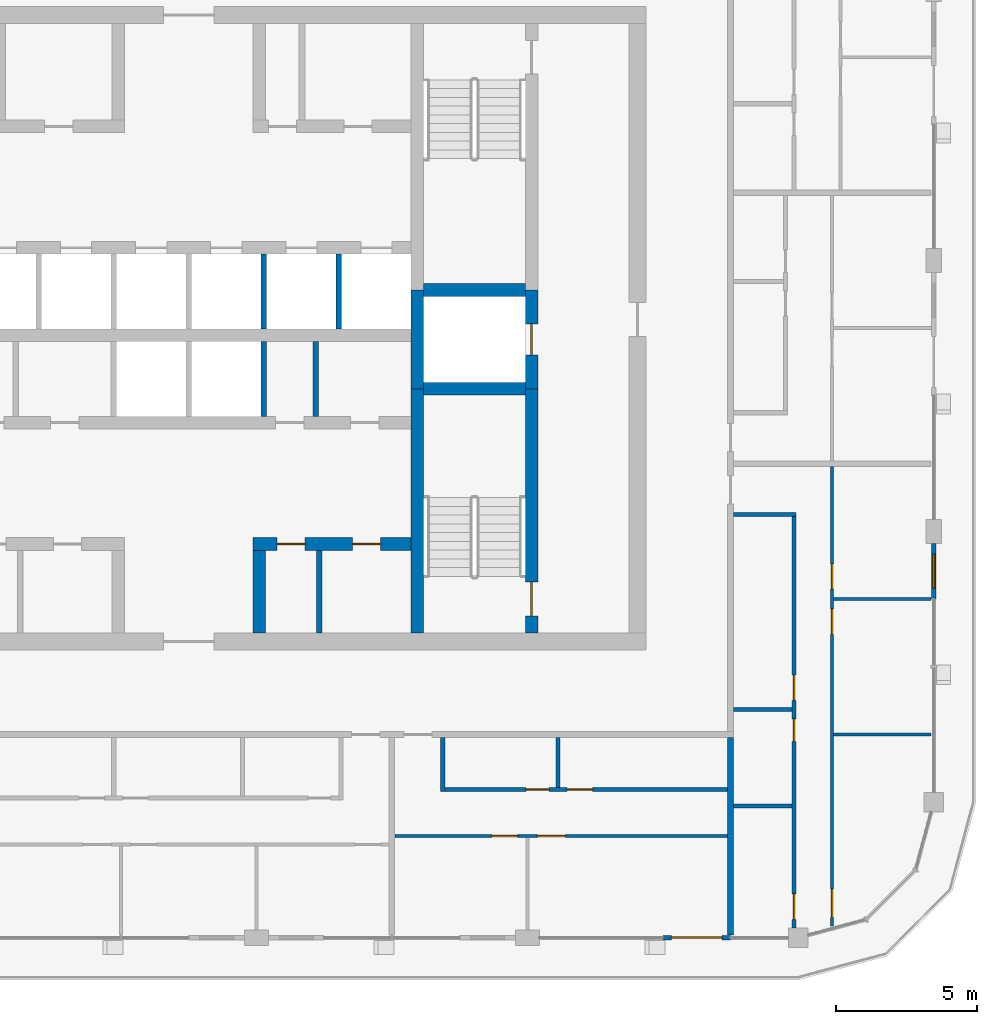
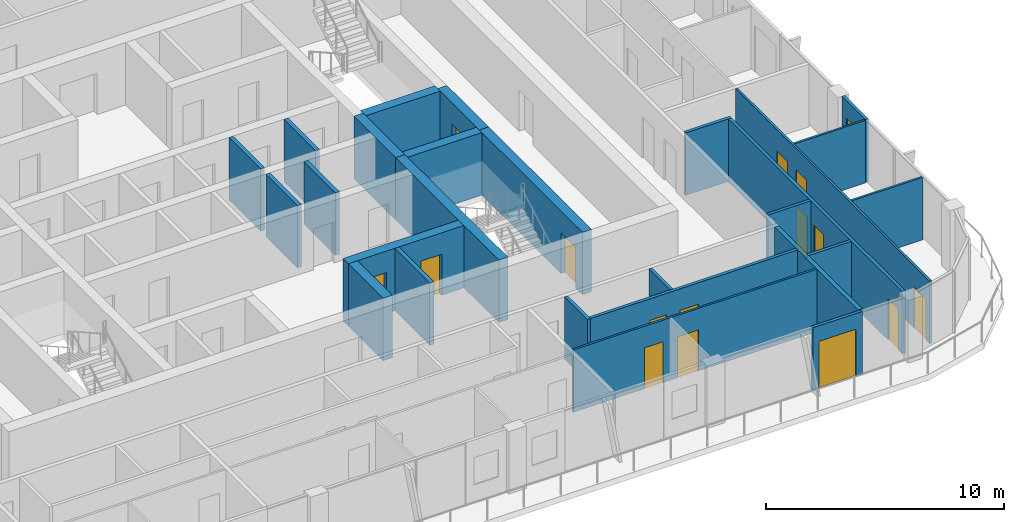
# One storey, part 12 of 22: 27 walls, 15 doors, 1 window, 16 openings.
"""IFC4 building model written with IfcOpenShell, lengths in metres."""

from ifc_helpers import new_model, si_unit, direction, frame, frame_2d, origin, place, context, subcontext, project, spatial, rectangle, extrude, material, layer, layer_set, type_object, element, fill, save


model = new_model("IFC4")

# Units and contexts
model_context = context("Model", 3, precision=1e-05, world=origin(), true_north=direction((0.0, 1.0)))
body_context = subcontext(model_context, "Body", "Model", "MODEL_VIEW")
ifc_project = project(units=[si_unit("LENGTHUNIT", "METRE"), si_unit("AREAUNIT", "SQUARE_METRE"), si_unit("VOLUMEUNIT", "CUBIC_METRE"), si_unit("PLANEANGLEUNIT", "RADIAN"), si_unit("MASSUNIT", "GRAM", prefix="KILO")], contexts=[model_context])

# Site, building, storey
site_placement = place(None, origin())
site = spatial("IfcSite", under=ifc_project, at=site_placement, CompositionType="ELEMENT")
building_placement = place(site_placement, origin())
building = spatial("IfcBuilding", under=site, at=building_placement, Name="Madar Terraces", CompositionType="ELEMENT")
storey_placement = place(building_placement, frame((0.0, 0.0, 256.199951171875)))
storey = spatial("IfcBuildingStorey", under=building, at=storey_placement, Name="L67", CompositionType="ELEMENT", Elevation=256.199951171875)

# Walls
ifc_material_1 = material(Name="Concrete C55/67", Category="concrete")
ifc_layer_1 = layer(ifc_material_1, 0.449951171875)
ifc_layer_set_1 = layer_set([ifc_layer_1], Name="Concrete C55/67 (CIW5 RC wall 450)")
wall_type_1 = type_object("IfcWallType", Name="CIW5 RC wall 450", PredefinedType="SHEAR", material=ifc_layer_set_1)
wall_1_placement = place(storey_placement, frame((39.300048828125, 15.60009765625, 0.0), z_axis=(0.0, 0.0, 1.0), x_axis=(0.0, 1.0, 0.0)))
element("IfcWall", 1, at=wall_1_placement, inside=storey, type_object=wall_type_1, Name="CORE SHAFT WALL", PredefinedType="SHEAR", context=body_context, shape_type="SweptSolid", body=[
    extrude(rectangle(XDim=8.64990234375, YDim=0.449951171875, at=frame_2d((4.324951171875, 0.0))), origin(), (0.0, 0.0, 1.0), 3.199951171875),
])
wall_2_placement = place(storey_placement, frame((39.300048828125, 24.25, 0.0), z_axis=(0.0, 0.0, 1.0), x_axis=(0.0, 1.0, 0.0)))
element("IfcWall", 2, at=wall_2_placement, inside=storey, type_object=wall_type_1, Name="CORE SHAFT WALL", PredefinedType="SHEAR", context=body_context, shape_type="SweptSolid", body=[
    extrude(rectangle(XDim=3.5, YDim=0.449951171875, at=frame_2d((1.75, 0.0))), origin(), (0.0, 0.0, 1.0), 3.199951171875),
])

# Wall, opening, door
wall_3_placement = place(storey_placement, frame((43.35009765625, 15.60009765625, 0.0), z_axis=(0.0, 0.0, 1.0), x_axis=(0.0, 1.0, 0.0)))
wall_3 = element("IfcWall", 3, at=wall_3_placement, inside=storey, type_object=wall_type_1, Name="CORE SHAFT WALL", PredefinedType="SHEAR", context=body_context, shape_type="SweptSolid", body=[
    extrude(rectangle(XDim=8.64990234375, YDim=0.449951171875, at=frame_2d((4.324951171875, 0.0))), origin(), (0.0, 0.0, 1.0), 3.199951171875),
])
opening_1_placement = place(wall_3_placement, frame((0.60009765625, 0.0, 0.0)))
opening_1 = element("IfcOpeningElement", 4, at=opening_1_placement, cuts=wall_3, Name="Opening SD1", PredefinedType="OPENING", context=body_context, shape_type="SweptSolid", body=[
    extrude(rectangle(XDim=1.199951171875, YDim=2.10009765625, at=frame_2d((0.60009765625, 1.050048828125))), frame((0.0, 0.23486328125, 0.0), z_axis=(0.0, -1.0, 0.0), x_axis=(1.0, 0.0, 0.0)), (0.0, 0.0, 1.0), 0.469970703125),
])
ifc_material_2 = material(Name="Steel door leaf", Category="steel")
door_type_1 = type_object("IfcDoorType", Name="Stair door 1200 x 2100", OperationType="NOTDEFINED", PredefinedType="DOOR", material=ifc_material_2)
door_1_placement = place(opening_1_placement, origin())
door_1 = element("IfcDoor", 5, at=door_1_placement, inside=storey, type_object=door_type_1, Name="STAIR DOOR", OperationType="SINGLE_SWING_RIGHT", OverallHeight=2.10009765625, OverallWidth=1.199951171875, PredefinedType="DOOR", context=body_context, shape_type="SweptSolid", body=[
    extrude(rectangle(XDim=1.199951171875, YDim=2.10009765625, at=frame_2d((0.60009765625, 1.050048828125))), frame((0.0, 0.02490234375, 0.0), z_axis=(0.0, -1.0, 0.0), x_axis=(1.0, 0.0, 0.0)), (0.0, 0.0, 1.0), 0.050048828125),
])
fill(opening_1, door_1)

wall_4_placement = place(storey_placement, frame((43.35009765625, 24.25, 0.0), z_axis=(0.0, 0.0, 1.0), x_axis=(0.0, 1.0, 0.0)))
wall_4 = element("IfcWall", 6, at=wall_4_placement, inside=storey, type_object=wall_type_1, Name="CORE SHAFT WALL", PredefinedType="SHEAR", context=body_context, shape_type="SweptSolid", body=[
    extrude(rectangle(XDim=3.5, YDim=0.449951171875, at=frame_2d((1.75, 0.0))), origin(), (0.0, 0.0, 1.0), 3.199951171875),
])
opening_2_placement = place(wall_4_placement, frame((1.199951171875, 0.0, 0.0)))
opening_2 = element("IfcOpeningElement", 7, at=opening_2_placement, cuts=wall_4, Name="Opening LD", PredefinedType="OPENING", context=body_context, shape_type="SweptSolid", body=[
    extrude(rectangle(XDim=1.10009765625, YDim=2.10009765625, at=frame_2d((0.550048828125, 1.050048828125))), frame((0.0, 0.23486328125, 0.0), z_axis=(0.0, -1.0, 0.0), x_axis=(1.0, 0.0, 0.0)), (0.0, 0.0, 1.0), 0.469970703125),
])
ifc_material_3 = material(Name="Stainless steel panel", Category="steel")
door_type_2 = type_object("IfcDoorType", Name="Lift landing door 1100 x 2100", OperationType="DOUBLE_DOOR_SLIDING", PredefinedType="DOOR", material=ifc_material_3)
door_2_placement = place(opening_2_placement, origin())
door_2 = element("IfcDoor", 8, at=door_2_placement, inside=storey, type_object=door_type_2, Name="LIFT LANDING DOOR", OperationType="DOUBLE_DOOR_SLIDING", OverallHeight=2.10009765625, OverallWidth=1.10009765625, PredefinedType="DOOR", context=body_context, shape_type="SweptSolid", body=[
    extrude(rectangle(XDim=1.10009765625, YDim=2.10009765625, at=frame_2d((0.550048828125, 1.050048828125))), frame((0.0, 0.02490234375, 0.0), z_axis=(0.0, -1.0, 0.0), x_axis=(1.0, 0.0, 0.0)), (0.0, 0.0, 1.0), 0.050048828125),
])
fill(opening_2, door_2)

# Walls
for number, where, z_axis, x_axis, name in (
    (9, (39.52490234375, 24.25, 0.0), (0.0, 0.0, 1.0), (1.0, 0.0, 0.0), "CORE SHAFT WALL"),
    (10, (39.52490234375, 27.75, 0.0), (0.0, 0.0, 1.0), (1.0, 0.0, 0.0), "CORE SHAFT WALL"),
):
    element("IfcWall", number, at=place(storey_placement, frame(where, z_axis=z_axis, x_axis=x_axis)), inside=storey, type_object=wall_type_1, Name=name, PredefinedType="SHEAR", context=body_context, shape_type="SweptSolid", body=[
        extrude(rectangle(XDim=3.60009765625, YDim=0.449951171875, at=frame_2d((1.800048828125, 0.0))), origin(), (0.0, 0.0, 1.0), 3.199951171875),
    ])

# Wall, openings, doors
wall_5_placement = place(storey_placement, frame((33.47509765625, 18.75, 0.0), z_axis=(0.0, 0.0, 1.0), x_axis=(1.0, 0.0, 0.0)))
wall_5 = element("IfcWall", 11, at=wall_5_placement, inside=storey, type_object=wall_type_1, Name="CORE SHAFT WALL", PredefinedType="SHEAR", context=body_context, shape_type="SweptSolid", body=[
    extrude(rectangle(XDim=5.599853515625, YDim=0.449951171875, at=frame_2d((2.7998046875, 0.0))), origin(), (0.0, 0.0, 1.0), 3.199951171875),
])
opening_3_placement = place(wall_5_placement, frame((0.852783203125, 0.0, 0.0)))
opening_3 = element("IfcOpeningElement", 12, at=opening_3_placement, cuts=wall_5, Name="Opening KD2", PredefinedType="OPENING", context=body_context, shape_type="SweptSolid", body=[
    extrude(rectangle(XDim=1.0, YDim=2.10009765625, at=frame_2d((0.5, 1.050048828125))), frame((0.0, 0.23486328125, 0.0), z_axis=(0.0, -1.0, 0.0), x_axis=(1.0, 0.0, 0.0)), (0.0, 0.0, 1.0), 0.469970703125),
])
opening_4_placement = place(wall_5_placement, frame((3.52783203125, 0.0, 0.0)))
opening_4 = element("IfcOpeningElement", 13, at=opening_4_placement, cuts=wall_5, Name="Opening KD2", PredefinedType="OPENING", context=body_context, shape_type="SweptSolid", body=[
    extrude(rectangle(XDim=1.0, YDim=2.10009765625, at=frame_2d((0.5, 1.050048828125))), frame((0.0, 0.23486328125, 0.0), z_axis=(0.0, -1.0, 0.0), x_axis=(1.0, 0.0, 0.0)), (0.0, 0.0, 1.0), 0.469970703125),
])
ifc_material_4 = material(Name="Steel door leaf", Category="steel")
door_type_3 = type_object("IfcDoorType", Name="Service room door 1000 x 2100", OperationType="NOTDEFINED", PredefinedType="DOOR", material=ifc_material_4)
door_3_placement = place(opening_3_placement, origin())
door_3 = element("IfcDoor", 14, at=door_3_placement, inside=storey, type_object=door_type_3, Name="SERVICE ROOM DOOR", OperationType="SINGLE_SWING_RIGHT", OverallHeight=2.10009765625, OverallWidth=1.0, PredefinedType="DOOR", context=body_context, shape_type="SweptSolid", body=[
    extrude(rectangle(XDim=1.0, YDim=2.10009765625, at=frame_2d((0.5, 1.050048828125))), frame((0.0, 0.02490234375, 0.0), z_axis=(0.0, -1.0, 0.0), x_axis=(1.0, 0.0, 0.0)), (0.0, 0.0, 1.0), 0.050048828125),
])
fill(opening_3, door_3)
door_4_placement = place(opening_4_placement, origin())
door_4 = element("IfcDoor", 15, at=door_4_placement, inside=storey, type_object=door_type_3, Name="SERVICE ROOM DOOR", OperationType="SINGLE_SWING_LEFT", OverallHeight=2.10009765625, OverallWidth=1.0, PredefinedType="DOOR", context=body_context, shape_type="SweptSolid", body=[
    extrude(rectangle(XDim=1.0, YDim=2.10009765625, at=frame_2d((0.5, 1.050048828125))), frame((0.0, 0.02490234375, 0.0), z_axis=(0.0, -1.0, 0.0), x_axis=(1.0, 0.0, 0.0)), (0.0, 0.0, 1.0), 0.050048828125),
])
fill(opening_4, door_4)

# Walls
wall_6_placement = place(storey_placement, frame((33.699951171875, 15.60009765625, 0.0), z_axis=(0.0, 0.0, 1.0), x_axis=(0.0, 1.0, 0.0)))
element("IfcWall", 16, at=wall_6_placement, inside=storey, type_object=wall_type_1, Name="CORE SHAFT WALL", PredefinedType="SHEAR", context=body_context, shape_type="SweptSolid", body=[
    extrude(rectangle(XDim=2.9248046875, YDim=0.449951171875, at=frame_2d((1.46240234375, 0.0))), origin(), (0.0, 0.0, 1.0), 3.199951171875),
])
ifc_material_5 = material(Name="Masonry blockwork", Category="masonry")
ifc_layer_2 = layer(ifc_material_5, 0.199951171875)
ifc_layer_set_2 = layer_set([ifc_layer_2], Name="Core partition 200 blockwork")
wall_type_2 = type_object("IfcWallType", Name="Core partition 200 blockwork", PredefinedType="PARTITIONING", material=ifc_layer_set_2)
wall_7_placement = place(storey_placement, frame((35.697998046875, 23.27490234375, 0.0), z_axis=(0.0, 0.0, 1.0), x_axis=(0.0, 1.0, 0.0)))
element("IfcWall", 17, at=wall_7_placement, inside=storey, type_object=wall_type_2, Name="SERVICE ROOM PARTITION", PredefinedType="PARTITIONING", context=body_context, shape_type="SweptSolid", body=[
    extrude(rectangle(XDim=2.650146484375, YDim=0.199951171875, at=frame_2d((1.3251953125, 0.0))), origin(), (0.0, 0.0, 1.0), 3.199951171875),
])
wall_8_placement = place(storey_placement, frame((35.83056640625, 15.60009765625, 0.0), z_axis=(0.0, 0.0, 1.0), x_axis=(0.0, 1.0, 0.0)))
element("IfcWall", 18, at=wall_8_placement, inside=storey, type_object=wall_type_2, Name="SERVICE ROOM PARTITION", PredefinedType="PARTITIONING", context=body_context, shape_type="SweptSolid", body=[
    extrude(rectangle(XDim=2.9248046875, YDim=0.199951171875, at=frame_2d((1.46240234375, 0.0))), origin(), (0.0, 0.0, 1.0), 3.199951171875),
])
ifc_material_6 = material(Name="Concrete C40/50", Category="concrete")
ifc_layer_3 = layer(ifc_material_6, 0.199951171875)
ifc_layer_set_3 = layer_set([ifc_layer_3], Name="Core shaft dividing wall 200 C40/50")
wall_type_3 = type_object("IfcWallType", Name="Core shaft dividing wall 200 C40/50", PredefinedType="SOLIDWALL", material=ifc_layer_set_3)
wall_9_placement = place(storey_placement, frame((33.8583984375, 23.27490234375, 0.0), z_axis=(0.0, 0.0, 1.0), x_axis=(0.0, 1.0, 0.0)))
element("IfcWall", 19, at=wall_9_placement, inside=storey, type_object=wall_type_3, Name="SHAFT DIVIDING WALL", PredefinedType="SOLIDWALL", context=body_context, shape_type="SweptSolid", body=[
    extrude(rectangle(XDim=2.650146484375, YDim=0.199951171875, at=frame_2d((1.3251953125, 0.0))), origin(), (0.0, 0.0, 1.0), 3.199951171875),
])
for number, where, z_axis, x_axis, name in (
    (20, (33.8583984375, 26.375, 0.0), (0.0, 0.0, 1.0), (0.0, 1.0, 0.0), "SHAFT DIVIDING WALL"),
    (21, (36.5166015625, 26.375, 0.0), (0.0, 0.0, 1.0), (0.0, 1.0, 0.0), "SHAFT DIVIDING WALL"),
):
    element("IfcWall", number, at=place(storey_placement, frame(where, z_axis=z_axis, x_axis=x_axis)), inside=storey, type_object=wall_type_3, Name=name, PredefinedType="SOLIDWALL", context=body_context, shape_type="SweptSolid", body=[
        extrude(rectangle(XDim=2.64990234375, YDim=0.199951171875, at=frame_2d((1.324951171875, 0.0))), origin(), (0.0, 0.0, 1.0), 3.199951171875),
    ])

# Wall, opening, door
ifc_material_7 = material(Name="Aluminium composite panel, black, over insulated backing", Category="aluminium")
ifc_layer_4 = layer(ifc_material_7, 0.14990234375)
ifc_layer_set_4 = layer_set([ifc_layer_4], Name="Facade bay panel 150")
wall_type_4 = type_object("IfcWallType", Name="Facade bay panel 150", PredefinedType="SOLIDWALL", material=ifc_layer_set_4)
wall_10_placement = place(storey_placement, frame((48.0, 4.800048828125, 0.0), z_axis=(0.0, 0.0, 1.0), x_axis=(1.0, 0.0, 0.0)))
wall_10 = element("IfcWall", 22, at=wall_10_placement, inside=storey, type_object=wall_type_4, Name="Facade bay panel", PredefinedType="SOLIDWALL", context=body_context, shape_type="SweptSolid", body=[
    extrude(rectangle(XDim=2.39990234375, YDim=0.14990234375, at=frame_2d((1.199951171875, 0.0))), origin(), (0.0, 0.0, 1.0), 3.199951171875),
])
opening_5_placement = place(wall_10_placement, frame((0.300048828125, 0.0, 0.0)))
opening_5 = element("IfcOpeningElement", 23, at=opening_5_placement, cuts=wall_10, Name="Opening ED1", PredefinedType="OPENING", context=body_context, shape_type="SweptSolid", body=[
    extrude(rectangle(XDim=1.800048828125, YDim=2.39990234375, at=frame_2d((0.89990234375, 1.199951171875))), frame((0.0, 0.0849609375, 0.0), z_axis=(0.0, -1.0, 0.0), x_axis=(1.0, 0.0, 0.0)), (0.0, 0.0, 1.0), 0.169921875),
])
ifc_material_8 = material(Name="Glass, clear, with black aluminium frame", Category="aluminium")
door_type_4 = type_object("IfcDoorType", Name="Balcony and terrace sliding door 1800 x 2400", OperationType="SLIDING_TO_LEFT", PredefinedType="DOOR", material=ifc_material_8)
door_5_placement = place(opening_5_placement, origin())
door_5 = element("IfcDoor", 24, at=door_5_placement, inside=storey, type_object=door_type_4, Name="Balcony door", OperationType="SLIDING_TO_RIGHT", OverallHeight=2.39990234375, OverallWidth=1.800048828125, PredefinedType="DOOR", context=body_context, shape_type="SweptSolid", body=[
    extrude(rectangle(XDim=1.800048828125, YDim=2.39990234375, at=frame_2d((0.89990234375, 1.199951171875))), frame((0.0, 0.02490234375, 0.0), z_axis=(0.0, -1.0, 0.0), x_axis=(1.0, 0.0, 0.0)), (0.0, 0.0, 1.0), 0.050048828125),
])
fill(opening_5, door_5)

# Wall, opening, window
wall_11_placement = place(storey_placement, frame((57.60009765625, 16.800048828125, 0.0), z_axis=(0.0, 0.0, 1.0), x_axis=(0.0, 1.0, 0.0)))
wall_11 = element("IfcWall", 25, at=wall_11_placement, inside=storey, type_object=wall_type_4, Name="Facade bay panel", PredefinedType="SOLIDWALL", context=body_context, shape_type="SweptSolid", body=[
    extrude(rectangle(XDim=1.974853515625, YDim=0.14990234375, at=frame_2d((0.9873046875, 0.0))), origin(), (0.0, 0.0, 1.0), 3.199951171875),
])
opening_6_placement = place(wall_11_placement, frame((0.387451171875, 0.0, 0.89990234375)))
opening_6 = element("IfcOpeningElement", 26, at=opening_6_placement, cuts=wall_11, Name="Opening W1", PredefinedType="OPENING", context=body_context, shape_type="SweptSolid", body=[
    extrude(rectangle(XDim=1.199951171875, YDim=1.39990234375, at=frame_2d((0.60009765625, 0.699951171875))), frame((0.0, 0.0849609375, 0.0), z_axis=(0.0, -1.0, 0.0), x_axis=(1.0, 0.0, 0.0)), (0.0, 0.0, 1.0), 0.169921875),
])
ifc_material_9 = material(Name="Glass, clear, with black aluminium frame", Category="aluminium")
window_type = type_object("IfcWindowType", Name="Vent window 1200 x 1400", PartitioningType="SINGLE_PANEL", PredefinedType="WINDOW", material=ifc_material_9)
window_placement = place(opening_6_placement, origin())
window = element("IfcWindow", 27, at=window_placement, inside=storey, type_object=window_type, Name="Operable vent window", OverallHeight=1.39990234375, OverallWidth=1.199951171875, PartitioningType="SINGLE_PANEL", PredefinedType="WINDOW", context=body_context, shape_type="SweptSolid", body=[
    extrude(rectangle(XDim=1.199951171875, YDim=1.39990234375, at=frame_2d((0.60009765625, 0.699951171875))), frame((0.0, 0.030029296875, 0.0), z_axis=(0.0, -1.0, 0.0), x_axis=(1.0, 0.0, 0.0)), (0.0, 0.0, 1.0), 0.06005859375),
])
fill(opening_6, window)

# Wall, openings, doors
ifc_material_10 = material(Name="Gypsum board on steel studs", Category="steel")
ifc_layer_5 = layer(ifc_material_10, 0.10009765625)
ifc_layer_set_5 = layer_set([ifc_layer_5], Name="Flat partition 100")
wall_type_5 = type_object("IfcWallType", Name="Flat partition 100", PredefinedType="PARTITIONING", material=ifc_layer_set_5)
wall_12_placement = place(storey_placement, frame((50.300048828125, 8.39990234375, 0.0), z_axis=(0.0, 0.0, 1.0), x_axis=(-1.0, 0.0, 0.0)))
wall_12 = element("IfcWall", 28, at=wall_12_placement, inside=storey, type_object=wall_type_5, Name="Flat partition 100", PredefinedType="PARTITIONING", context=body_context, shape_type="SweptSolid", body=[
    extrude(rectangle(XDim=11.800048828125, YDim=0.10009765625, at=frame_2d((5.89990234375, 0.0))), origin(), (0.0, 0.0, 1.0), 3.199951171875),
])
opening_7_placement = place(wall_12_placement, frame((7.449951171875, 0.0, 0.0)))
opening_7 = element("IfcOpeningElement", 29, at=opening_7_placement, cuts=wall_12, Name="Opening D2", PredefinedType="OPENING", context=body_context, shape_type="SweptSolid", body=[
    extrude(rectangle(XDim=0.89990234375, YDim=2.10009765625, at=frame_2d((0.449951171875, 1.050048828125))), frame((0.0, 0.06005859375, 0.0), z_axis=(0.0, -1.0, 0.0), x_axis=(1.0, 0.0, 0.0)), (0.0, 0.0, 1.0), 0.1201171875),
])
opening_8_placement = place(wall_12_placement, frame((5.75, 0.0, 0.0)))
opening_8 = element("IfcOpeningElement", 30, at=opening_8_placement, cuts=wall_12, Name="Opening D3", PredefinedType="OPENING", context=body_context, shape_type="SweptSolid", body=[
    extrude(rectangle(XDim=1.0, YDim=2.10009765625, at=frame_2d((0.5, 1.050048828125))), frame((0.0, 0.06005859375, 0.0), z_axis=(0.0, -1.0, 0.0), x_axis=(1.0, 0.0, 0.0)), (0.0, 0.0, 1.0), 0.1201171875),
])
ifc_material_11 = material(Name="Timber door leaf", Category="wood")
door_type_5 = type_object("IfcDoorType", Name="Flat living room door 1000", OperationType="NOTDEFINED", PredefinedType="DOOR", material=ifc_material_11)
door_6_placement = place(opening_8_placement, origin())
door_6 = element("IfcDoor", 31, at=door_6_placement, inside=storey, type_object=door_type_5, Name="Flat living room door 1000", OperationType="SINGLE_SWING_RIGHT", OverallHeight=2.10009765625, OverallWidth=1.0, PredefinedType="DOOR", context=body_context, shape_type="SweptSolid", body=[
    extrude(rectangle(XDim=1.0, YDim=2.10009765625, at=frame_2d((0.5, 1.050048828125))), frame((0.0, 0.02490234375, 0.0), z_axis=(0.0, -1.0, 0.0), x_axis=(1.0, 0.0, 0.0)), (0.0, 0.0, 1.0), 0.050048828125),
])
fill(opening_8, door_6)
ifc_material_12 = material(Name="Timber door leaf", Category="wood")
door_type_6 = type_object("IfcDoorType", Name="Flat room door 900", OperationType="NOTDEFINED", PredefinedType="DOOR", material=ifc_material_12)
door_7_placement = place(opening_7_placement, origin())
door_7 = element("IfcDoor", 32, at=door_7_placement, inside=storey, type_object=door_type_6, Name="Flat room door 900", OperationType="SINGLE_SWING_LEFT", OverallHeight=2.10009765625, OverallWidth=0.89990234375, PredefinedType="DOOR", context=body_context, shape_type="SweptSolid", body=[
    extrude(rectangle(XDim=0.89990234375, YDim=2.10009765625, at=frame_2d((0.449951171875, 1.050048828125))), frame((0.0, 0.02490234375, 0.0), z_axis=(0.0, -1.0, 0.0), x_axis=(1.0, 0.0, 0.0)), (0.0, 0.0, 1.0), 0.050048828125),
])
fill(opening_7, door_7)

# Walls
for number, where, z_axis, x_axis, name in (
    (33, (54.050048828125, 16.800048828125, 0.0), (0.0, 0.0, 1.0), (1.0, 0.0, 0.0), "Flat partition 100"),
    (34, (54.050048828125, 12.0, 0.0), (0.0, 0.0, 1.0), (1.0, 0.0, 0.0), "Flat partition 100"),
):
    element("IfcWall", number, at=place(storey_placement, frame(where, z_axis=z_axis, x_axis=x_axis)), inside=storey, type_object=wall_type_5, Name=name, PredefinedType="PARTITIONING", context=body_context, shape_type="SweptSolid", body=[
        extrude(rectangle(XDim=3.449951171875, YDim=0.10009765625, at=frame_2d((1.72509765625, 0.0))), origin(), (0.0, 0.0, 1.0), 3.199951171875),
    ])

# Wall, openings, doors
wall_13_placement = place(storey_placement, frame((54.0, 21.5, 0.0), z_axis=(0.0, 0.0, 1.0), x_axis=(0.0, -1.0, 0.0)))
wall_13 = element("IfcWall", 35, at=wall_13_placement, inside=storey, type_object=wall_type_5, Name="Flat partition 100", PredefinedType="PARTITIONING", context=body_context, shape_type="SweptSolid", body=[
    extrude(rectangle(XDim=16.278564453125, YDim=0.10009765625, at=frame_2d((8.13916015625, 0.0))), origin(), (0.0, 0.0, 1.0), 3.199951171875),
])
opening_9_placement = place(wall_13_placement, frame((3.449951171875, 0.0, 0.0)))
opening_9 = element("IfcOpeningElement", 36, at=opening_9_placement, cuts=wall_13, Name="Opening D2", PredefinedType="OPENING", context=body_context, shape_type="SweptSolid", body=[
    extrude(rectangle(XDim=0.89990234375, YDim=2.10009765625, at=frame_2d((0.449951171875, 1.050048828125))), frame((0.0, 0.06005859375, 0.0), z_axis=(0.0, -1.0, 0.0), x_axis=(1.0, 0.0, 0.0)), (0.0, 0.0, 1.0), 0.1201171875),
])
opening_10_placement = place(wall_13_placement, frame((5.050048828125, 0.0, 0.0)))
opening_10 = element("IfcOpeningElement", 37, at=opening_10_placement, cuts=wall_13, Name="Opening D2", PredefinedType="OPENING", context=body_context, shape_type="SweptSolid", body=[
    extrude(rectangle(XDim=0.89990234375, YDim=2.10009765625, at=frame_2d((0.449951171875, 1.050048828125))), frame((0.0, 0.06005859375, 0.0), z_axis=(0.0, -1.0, 0.0), x_axis=(1.0, 0.0, 0.0)), (0.0, 0.0, 1.0), 0.1201171875),
])
opening_11_placement = place(wall_13_placement, frame((14.978515625, 0.0, 0.0)))
opening_11 = element("IfcOpeningElement", 38, at=opening_11_placement, cuts=wall_13, Name="Opening D3", PredefinedType="OPENING", context=body_context, shape_type="SweptSolid", body=[
    extrude(rectangle(XDim=1.0, YDim=2.10009765625, at=frame_2d((0.5, 1.050048828125))), frame((0.0, 0.06005859375, 0.0), z_axis=(0.0, -1.0, 0.0), x_axis=(1.0, 0.0, 0.0)), (0.0, 0.0, 1.0), 0.1201171875),
])
door_8_placement = place(opening_11_placement, origin())
door_8 = element("IfcDoor", 39, at=door_8_placement, inside=storey, type_object=door_type_5, Name="Flat living room door 1000", OperationType="SINGLE_SWING_RIGHT", OverallHeight=2.10009765625, OverallWidth=1.0, PredefinedType="DOOR", context=body_context, shape_type="SweptSolid", body=[
    extrude(rectangle(XDim=1.0, YDim=2.10009765625, at=frame_2d((0.5, 1.050048828125))), frame((0.0, 0.02490234375, 0.0), z_axis=(0.0, -1.0, 0.0), x_axis=(1.0, 0.0, 0.0)), (0.0, 0.0, 1.0), 0.050048828125),
])
fill(opening_11, door_8)
door_9_placement = place(opening_9_placement, origin())
door_9 = element("IfcDoor", 40, at=door_9_placement, inside=storey, type_object=door_type_6, Name="Flat room door 900", OperationType="SINGLE_SWING_RIGHT", OverallHeight=2.10009765625, OverallWidth=0.89990234375, PredefinedType="DOOR", context=body_context, shape_type="SweptSolid", body=[
    extrude(rectangle(XDim=0.89990234375, YDim=2.10009765625, at=frame_2d((0.449951171875, 1.050048828125))), frame((0.0, 0.02490234375, 0.0), z_axis=(0.0, -1.0, 0.0), x_axis=(1.0, 0.0, 0.0)), (0.0, 0.0, 1.0), 0.050048828125),
])
fill(opening_9, door_9)
door_10_placement = place(opening_10_placement, origin())
door_10 = element("IfcDoor", 41, at=door_10_placement, inside=storey, type_object=door_type_6, Name="Flat room door 900", OperationType="SINGLE_SWING_LEFT", OverallHeight=2.10009765625, OverallWidth=0.89990234375, PredefinedType="DOOR", context=body_context, shape_type="SweptSolid", body=[
    extrude(rectangle(XDim=0.89990234375, YDim=2.10009765625, at=frame_2d((0.449951171875, 1.050048828125))), frame((0.0, 0.02490234375, 0.0), z_axis=(0.0, -1.0, 0.0), x_axis=(1.0, 0.0, 0.0)), (0.0, 0.0, 1.0), 0.050048828125),
])
fill(opening_10, door_10)

# Walls
ifc_material_13 = material(Name="Lightweight blockwork", Category="masonry")
ifc_layer_6 = layer(ifc_material_13, 0.199951171875)
ifc_layer_set_6 = layer_set([ifc_layer_6], Name="Flat party and entrance wall 200")
wall_type_6 = type_object("IfcWallType", Name="Flat party and entrance wall 200", PredefinedType="PARTITIONING", material=ifc_layer_set_6)
wall_14_placement = place(storey_placement, frame((50.39990234375, 11.89990234375, 0.0), z_axis=(0.0, 0.0, 1.0), x_axis=(0.0, -1.0, 0.0)))
element("IfcWall", 42, at=wall_14_placement, inside=storey, type_object=wall_type_6, Name="Flat party and entrance wall 200", PredefinedType="PARTITIONING", context=body_context, shape_type="SweptSolid", body=[
    extrude(rectangle(XDim=7.0, YDim=0.199951171875, at=frame_2d((3.5, 0.0))), origin(), (0.0, 0.0, 1.0), 3.199951171875),
])
ifc_material_14 = material(Name="Lightweight blockwork", Category="masonry")
ifc_layer_7 = layer(ifc_material_14, 0.14990234375)
ifc_layer_set_7 = layer_set([ifc_layer_7], Name="Flat wet-room partition 150")
wall_type_7 = type_object("IfcWallType", Name="Flat wet-room partition 150", PredefinedType="PARTITIONING", material=ifc_layer_set_7)
wall_15_placement = place(storey_placement, frame((44.284912109375, 11.89990234375, 0.0), z_axis=(0.0, 0.0, 1.0), x_axis=(0.0, -1.0, 0.0)))
element("IfcWall", 43, at=wall_15_placement, inside=storey, type_object=wall_type_7, Name="Flat wet-room partition 150", PredefinedType="PARTITIONING", context=body_context, shape_type="SweptSolid", body=[
    extrude(rectangle(XDim=1.77490234375, YDim=0.14990234375, at=frame_2d((0.887451171875, 0.0))), origin(), (0.0, 0.0, 1.0), 3.199951171875),
])
wall_16_placement = place(storey_placement, frame((40.199951171875, 11.89990234375, 0.0), z_axis=(0.0, 0.0, 1.0), x_axis=(0.0, -1.0, 0.0)))
element("IfcWall", 44, at=wall_16_placement, inside=storey, type_object=wall_type_7, Name="Flat wet-room partition 150", PredefinedType="PARTITIONING", context=body_context, shape_type="SweptSolid", body=[
    extrude(rectangle(XDim=1.9248046875, YDim=0.14990234375, at=frame_2d((0.96240234375, 0.0))), origin(), (0.0, 0.0, 1.0), 3.199951171875),
])

# Wall, openings, doors
wall_17_placement = place(storey_placement, frame((40.27490234375, 10.050048828125, 0.0), z_axis=(0.0, 0.0, 1.0), x_axis=(1.0, 0.0, 0.0)))
wall_17 = element("IfcWall", 45, at=wall_17_placement, inside=storey, type_object=wall_type_7, Name="Flat wet-room partition 150", PredefinedType="PARTITIONING", context=body_context, shape_type="SweptSolid", body=[
    extrude(rectangle(XDim=10.025146484375, YDim=0.14990234375, at=frame_2d((5.0126953125, 0.0))), origin(), (0.0, 0.0, 1.0), 3.199951171875),
])
opening_12_placement = place(wall_17_placement, frame((2.885009765625, 0.0, 0.0)))
opening_12 = element("IfcOpeningElement", 46, at=opening_12_placement, cuts=wall_17, Name="Opening D4", PredefinedType="OPENING", context=body_context, shape_type="SweptSolid", body=[
    extrude(rectangle(XDim=0.800048828125, YDim=2.10009765625, at=frame_2d((0.39990234375, 1.050048828125))), frame((0.0, 0.0849609375, 0.0), z_axis=(0.0, -1.0, 0.0), x_axis=(1.0, 0.0, 0.0)), (0.0, 0.0, 1.0), 0.169921875),
])
opening_13_placement = place(wall_17_placement, frame((4.3349609375, 0.0, 0.0)))
opening_13 = element("IfcOpeningElement", 47, at=opening_13_placement, cuts=wall_17, Name="Opening D2", PredefinedType="OPENING", context=body_context, shape_type="SweptSolid", body=[
    extrude(rectangle(XDim=0.89990234375, YDim=2.10009765625, at=frame_2d((0.449951171875, 1.050048828125))), frame((0.0, 0.0849609375, 0.0), z_axis=(0.0, -1.0, 0.0), x_axis=(1.0, 0.0, 0.0)), (0.0, 0.0, 1.0), 0.169921875),
])
ifc_material_15 = material(Name="Timber door leaf", Category="wood")
door_type_7 = type_object("IfcDoorType", Name="Flat bathroom door 800", OperationType="NOTDEFINED", PredefinedType="DOOR", material=ifc_material_15)
door_11_placement = place(opening_12_placement, origin())
door_11 = element("IfcDoor", 48, at=door_11_placement, inside=storey, type_object=door_type_7, Name="Flat bathroom door 800", OperationType="SINGLE_SWING_RIGHT", OverallHeight=2.10009765625, OverallWidth=0.800048828125, PredefinedType="DOOR", context=body_context, shape_type="SweptSolid", body=[
    extrude(rectangle(XDim=0.800048828125, YDim=2.10009765625, at=frame_2d((0.39990234375, 1.050048828125))), frame((0.0, 0.02490234375, 0.0), z_axis=(0.0, -1.0, 0.0), x_axis=(1.0, 0.0, 0.0)), (0.0, 0.0, 1.0), 0.050048828125),
])
fill(opening_12, door_11)
door_12_placement = place(opening_13_placement, origin())
door_12 = element("IfcDoor", 49, at=door_12_placement, inside=storey, type_object=door_type_6, Name="Flat room door 900", OperationType="SINGLE_SWING_LEFT", OverallHeight=2.10009765625, OverallWidth=0.89990234375, PredefinedType="DOOR", context=body_context, shape_type="SweptSolid", body=[
    extrude(rectangle(XDim=0.89990234375, YDim=2.10009765625, at=frame_2d((0.449951171875, 1.050048828125))), frame((0.0, 0.02490234375, 0.0), z_axis=(0.0, -1.0, 0.0), x_axis=(1.0, 0.0, 0.0)), (0.0, 0.0, 1.0), 0.050048828125),
])
fill(opening_13, door_12)

# Walls
for number, where, z_axis, x_axis, name in (
    (50, (50.5, 12.8828125, 0.0), (0.0, 0.0, 1.0), (1.0, 0.0, 0.0), "Flat wet-room partition 150"),
    (51, (50.5, 9.46142578125, 0.0), (0.0, 0.0, 1.0), (1.0, 0.0, 0.0), "Flat wet-room partition 150"),
):
    element("IfcWall", number, at=place(storey_placement, frame(where, z_axis=z_axis, x_axis=x_axis)), inside=storey, type_object=wall_type_7, Name=name, PredefinedType="PARTITIONING", context=body_context, shape_type="SweptSolid", body=[
        extrude(rectangle(XDim=2.074951171875, YDim=0.14990234375, at=frame_2d((1.03759765625, 0.0))), origin(), (0.0, 0.0, 1.0), 3.199951171875),
    ])
wall_18_placement = place(storey_placement, frame((50.5, 19.800048828125, 0.0), z_axis=(0.0, 0.0, 1.0), x_axis=(1.0, 0.0, 0.0)))
element("IfcWall", 52, at=wall_18_placement, inside=storey, type_object=wall_type_7, Name="Flat wet-room partition 150", PredefinedType="PARTITIONING", context=body_context, shape_type="SweptSolid", body=[
    extrude(rectangle(XDim=2.22509765625, YDim=0.14990234375, at=frame_2d((1.112548828125, 0.0))), origin(), (0.0, 0.0, 1.0), 3.199951171875),
])

# Wall, openings, doors
wall_19_placement = place(storey_placement, frame((52.64990234375, 5.14990234375, 0.0), z_axis=(0.0, 0.0, 1.0), x_axis=(0.0, 1.0, 0.0)))
wall_19 = element("IfcWall", 53, at=wall_19_placement, inside=storey, type_object=wall_type_7, Name="Flat wet-room partition 150", PredefinedType="PARTITIONING", context=body_context, shape_type="SweptSolid", body=[
    extrude(rectangle(XDim=14.5751953125, YDim=0.14990234375, at=frame_2d((7.28759765625, 0.0))), origin(), (0.0, 0.0, 1.0), 3.199951171875),
])
opening_14_placement = place(wall_19_placement, frame((8.0576171875, 0.0, 0.0)))
opening_14 = element("IfcOpeningElement", 54, at=opening_14_placement, cuts=wall_19, Name="Opening D2", PredefinedType="OPENING", context=body_context, shape_type="SweptSolid", body=[
    extrude(rectangle(XDim=0.89990234375, YDim=2.10009765625, at=frame_2d((0.449951171875, 1.050048828125))), frame((0.0, 0.0849609375, 0.0), z_axis=(0.0, -1.0, 0.0), x_axis=(1.0, 0.0, 0.0)), (0.0, 0.0, 1.0), 0.169921875),
])
opening_15_placement = place(wall_19_placement, frame((6.607666015625, 0.0, 0.0)))
opening_15 = element("IfcOpeningElement", 55, at=opening_15_placement, cuts=wall_19, Name="Opening D4", PredefinedType="OPENING", context=body_context, shape_type="SweptSolid", body=[
    extrude(rectangle(XDim=0.800048828125, YDim=2.10009765625, at=frame_2d((0.39990234375, 1.050048828125))), frame((0.0, 0.0849609375, 0.0), z_axis=(0.0, -1.0, 0.0), x_axis=(1.0, 0.0, 0.0)), (0.0, 0.0, 1.0), 0.169921875),
])
opening_16_placement = place(wall_19_placement, frame((0.300048828125, 0.0, 0.0)))
opening_16 = element("IfcOpeningElement", 56, at=opening_16_placement, cuts=wall_19, Name="Opening D5", PredefinedType="OPENING", context=body_context, shape_type="SweptSolid", body=[
    extrude(rectangle(XDim=0.89990234375, YDim=2.10009765625, at=frame_2d((0.449951171875, 1.050048828125))), frame((0.0, 0.0849609375, 0.0), z_axis=(0.0, -1.0, 0.0), x_axis=(1.0, 0.0, 0.0)), (0.0, 0.0, 1.0), 0.169921875),
])
ifc_material_16 = material(Name="Timber door leaf", Category="wood")
door_type_8 = type_object("IfcDoorType", Name="Flat accessible bathroom door 900", OperationType="NOTDEFINED", PredefinedType="DOOR", material=ifc_material_16)
door_13_placement = place(opening_16_placement, origin())
door_13 = element("IfcDoor", 57, at=door_13_placement, inside=storey, type_object=door_type_8, Name="Flat accessible bathroom door 900", OperationType="SINGLE_SWING_LEFT", OverallHeight=2.10009765625, OverallWidth=0.89990234375, PredefinedType="DOOR", context=body_context, shape_type="SweptSolid", body=[
    extrude(rectangle(XDim=0.89990234375, YDim=2.10009765625, at=frame_2d((0.449951171875, 1.050048828125))), frame((0.0, 0.02490234375, 0.0), z_axis=(0.0, -1.0, 0.0), x_axis=(1.0, 0.0, 0.0)), (0.0, 0.0, 1.0), 0.050048828125),
])
fill(opening_16, door_13)
door_14_placement = place(opening_15_placement, origin())
door_14 = element("IfcDoor", 58, at=door_14_placement, inside=storey, type_object=door_type_7, Name="Flat bathroom door 800", OperationType="SINGLE_SWING_RIGHT", OverallHeight=2.10009765625, OverallWidth=0.800048828125, PredefinedType="DOOR", context=body_context, shape_type="SweptSolid", body=[
    extrude(rectangle(XDim=0.800048828125, YDim=2.10009765625, at=frame_2d((0.39990234375, 1.050048828125))), frame((0.0, 0.02490234375, 0.0), z_axis=(0.0, -1.0, 0.0), x_axis=(1.0, 0.0, 0.0)), (0.0, 0.0, 1.0), 0.050048828125),
])
fill(opening_15, door_14)
door_15_placement = place(opening_14_placement, origin())
door_15 = element("IfcDoor", 59, at=door_15_placement, inside=storey, type_object=door_type_6, Name="Flat room door 900", OperationType="SINGLE_SWING_LEFT", OverallHeight=2.10009765625, OverallWidth=0.89990234375, PredefinedType="DOOR", context=body_context, shape_type="SweptSolid", body=[
    extrude(rectangle(XDim=0.89990234375, YDim=2.10009765625, at=frame_2d((0.449951171875, 1.050048828125))), frame((0.0, 0.02490234375, 0.0), z_axis=(0.0, -1.0, 0.0), x_axis=(1.0, 0.0, 0.0)), (0.0, 0.0, 1.0), 0.050048828125),
])
fill(opening_14, door_15)

save(model, "model.ifc")
